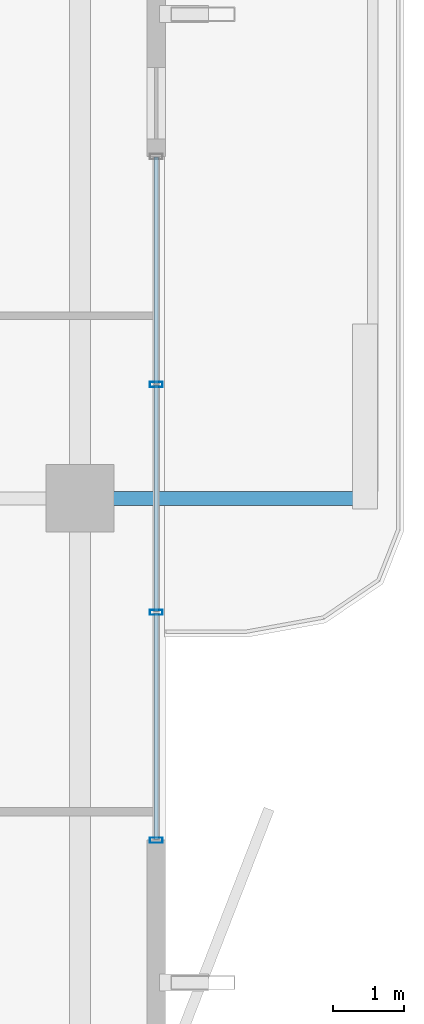
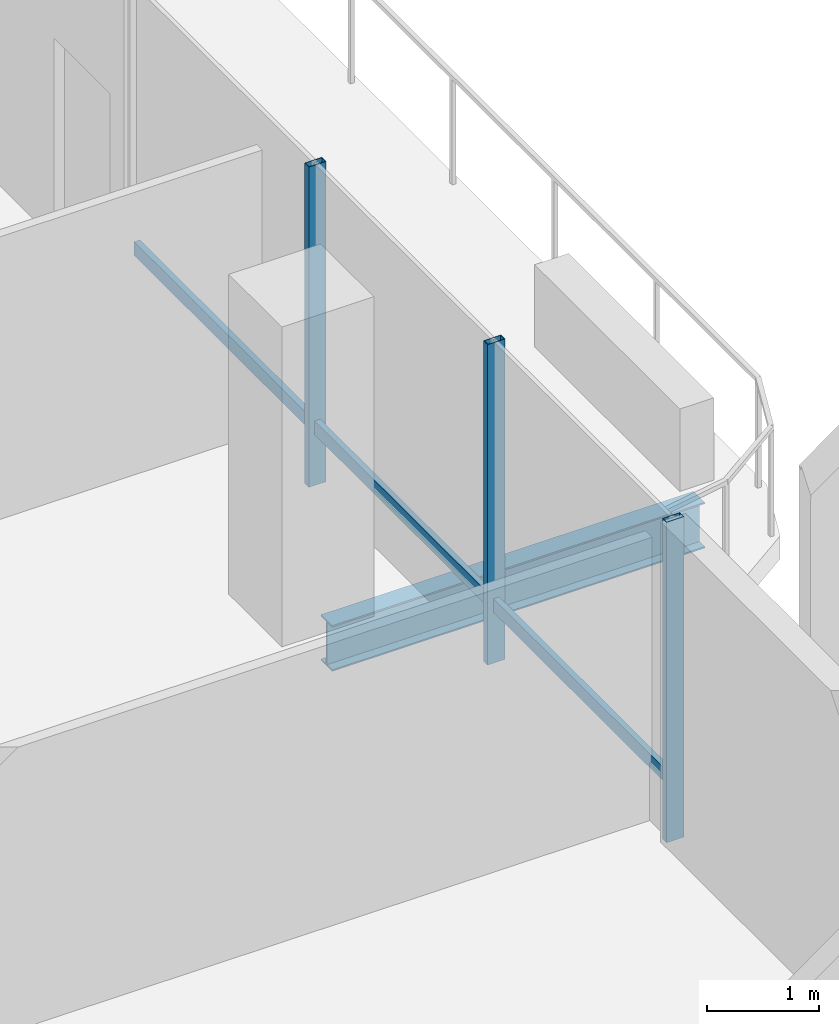
# One storey, part 10 of 25: 6 members, 1 beam, 1 element without a shape of its own.
"""IFC4 building model written with IfcOpenShell, lengths in metres."""

from ifc_helpers import new_model, si_unit, direction, frame, origin, origin_2d, place, context, subcontext, project, spatial, hollow_rectangle, i_section, extrude, material, layer, layer_set, material_profile, profile_set, type_object, element, aggregate, save


model = new_model("IFC4")

# Units and contexts
model_context = context("Model", 3, precision=1e-05, world=origin(), true_north=direction((0.0, 1.0)))
body_context = subcontext(model_context, "Body", "Model", "MODEL_VIEW")
ifc_project = project(units=[si_unit("LENGTHUNIT", "METRE"), si_unit("AREAUNIT", "SQUARE_METRE"), si_unit("VOLUMEUNIT", "CUBIC_METRE"), si_unit("PLANEANGLEUNIT", "RADIAN"), si_unit("MASSUNIT", "GRAM", prefix="KILO")], contexts=[model_context])

# Site, building, storey
site_placement = place(None, origin())
site = spatial("IfcSite", under=ifc_project, at=site_placement, CompositionType="ELEMENT")
building_placement = place(site_placement, origin())
building = spatial("IfcBuilding", under=site, at=building_placement, Name="Belovzor Exchange Tower", CompositionType="ELEMENT")
storey_placement = place(building_placement, frame((0.0, 0.0, 257.85009765625)))
storey = spatial("IfcBuildingStorey", under=building, at=storey_placement, Name="L64", CompositionType="ELEMENT", Elevation=257.85009765625)

# Beam
ifc_material_1 = material(Name="Steel S355", Category="steel")
ifc_material_profile_1 = material_profile(ifc_material_1, i_section(OverallWidth=0.199951171875, OverallDepth=0.5, WebThickness=0.01025390625, FlangeThickness=0.01611328125, at=origin_2d()))
ifc_profile_set_1 = profile_set([ifc_material_profile_1], Name="Steel S355")
beam_type = type_object("IfcBeamType", Name="Planted Balcony Cantilever Beam IPE 500", PredefinedType="BEAM", material=ifc_profile_set_1)
beam_placement = place(storey_placement, frame((52.760986328125, 28.800048828125, -0.5), z_axis=(1.0, 0.0, 0.0), x_axis=(0.0, 1.0, 0.0)))
element("IfcBeam", 1, at=beam_placement, inside=storey, type_object=beam_type, Name="BC-500 Planted Balcony Cantilever Beam IPE 500", PredefinedType="BEAM", context=body_context, shape_type="SweptSolid", body=[
    extrude(i_section(OverallWidth=0.199951171875, OverallDepth=0.5, WebThickness=0.01025390625, FlangeThickness=0.01611328125, at=origin_2d()), origin(), (0.0, 0.0, 1.0), 3.85009765625),
])

# Curtain wall, members
ifc_material_2 = material(Name="Anodised Aluminium Framing", Category="aluminium")
ifc_layer = layer(ifc_material_2, 0.179931640625)
ifc_layer_set = layer_set([ifc_layer], Name="Anodised Aluminium Framing")
curtain_wall_type = type_object("IfcCurtainWallType", Name="Recessed Loggia Low-Iron Triple-Glazed Curtain Wall", PredefinedType="NOTDEFINED", material=ifc_layer_set)
curtain_wall_placement = place(storey_placement, origin())
curtain_wall = element("IfcCurtainWall", 2, at=curtain_wall_placement, inside=storey, type_object=curtain_wall_type, Name="CW3 Recessed Loggia Low-Iron Triple-Glazed Curtain Wall L64", PredefinedType="NOTDEFINED")
ifc_material_3 = material(Name="Steel S355", Category="steel")
ifc_material_profile_2 = material_profile(ifc_material_3, hollow_rectangle(XDim=0.074951171875, YDim=0.179931640625, WallThickness=0.0048828125, at=origin_2d()))
ifc_profile_set_2 = profile_set([ifc_material_profile_2], Name="Steel S355")
member_type_1 = type_object("IfcMemberType", Name="Thermally Broken Curtain Wall Mullion 180x75", PredefinedType="MULLION", material=ifc_profile_set_2)
member_1_placement = place(storey_placement, frame((53.570068359375, 30.39990234375, 0.0), z_axis=(0.0, 0.0, 1.0), x_axis=(0.0, -1.0, 0.0)))
member_1 = element("IfcMember", 3, at=member_1_placement, type_object=member_type_1, Name="CW-M180 Curtain Wall Mullion 2", PredefinedType="MULLION", context=body_context, shape_type="SweptSolid", body=[
    extrude(hollow_rectangle(XDim=0.074951171875, YDim=0.179931640625, WallThickness=0.0048828125, at=origin_2d()), origin(), (0.0, 0.0, 1.0), 3.5),
])
member_2_placement = place(storey_placement, frame((53.570068359375, 27.199951171875, 0.0), z_axis=(0.0, 0.0, 1.0), x_axis=(0.0, -1.0, 0.0)))
member_2 = element("IfcMember", 4, at=member_2_placement, type_object=member_type_1, Name="CW-M180 Curtain Wall Mullion 3", PredefinedType="MULLION", context=body_context, shape_type="SweptSolid", body=[
    extrude(hollow_rectangle(XDim=0.074951171875, YDim=0.179931640625, WallThickness=0.0048828125, at=origin_2d()), origin(), (0.0, 0.0, 1.0), 3.5),
])
member_3_placement = place(storey_placement, frame((53.570068359375, 24.0, 0.0), z_axis=(0.0, 0.0, 1.0), x_axis=(0.0, -1.0, 0.0)))
member_3 = element("IfcMember", 5, at=member_3_placement, type_object=member_type_1, Name="CW-M180 Curtain Wall Mullion 4", PredefinedType="MULLION", context=body_context, shape_type="SweptSolid", body=[
    extrude(hollow_rectangle(XDim=0.074951171875, YDim=0.179931640625, WallThickness=0.0048828125, at=origin_2d()), origin(), (0.0, 0.0, 1.0), 3.5),
])
ifc_material_4 = material(Name="Steel S355", Category="steel")
ifc_material_profile_3 = material_profile(ifc_material_4, hollow_rectangle(XDim=0.06005859375, YDim=0.14990234375, WallThickness=0.00390625, at=origin_2d()))
ifc_profile_set_3 = profile_set([ifc_material_profile_3], Name="Steel S355")
member_type_2 = type_object("IfcMemberType", Name="Thermally Broken Curtain Wall Transom 150x60", PredefinedType="USERDEFINED", material=ifc_profile_set_3)
member_4_placement = place(storey_placement, frame((53.570068359375, 33.592041015625, 0.6298828125), z_axis=(0.0, -1.0, 0.0), x_axis=(1.0, 0.0, 0.0)))
member_4 = element("IfcMember", 6, at=member_4_placement, type_object=member_type_2, Name="CW-T150 Curtain Wall Transom 1", ObjectType="TRANSOM", PredefinedType="USERDEFINED", context=body_context, shape_type="SweptSolid", body=[
    extrude(hollow_rectangle(XDim=0.06005859375, YDim=0.14990234375, WallThickness=0.00390625, at=origin_2d()), origin(), (0.0, 0.0, 1.0), 3.18408203125),
])
member_5_placement = place(storey_placement, frame((53.570068359375, 30.39208984375, 0.6298828125), z_axis=(0.0, -1.0, 0.0), x_axis=(1.0, 0.0, 0.0)))
member_5 = element("IfcMember", 7, at=member_5_placement, type_object=member_type_2, Name="CW-T150 Curtain Wall Transom 2", ObjectType="TRANSOM", PredefinedType="USERDEFINED", context=body_context, shape_type="SweptSolid", body=[
    extrude(hollow_rectangle(XDim=0.06005859375, YDim=0.14990234375, WallThickness=0.00390625, at=origin_2d()), origin(), (0.0, 0.0, 1.0), 3.18408203125),
])
member_6_placement = place(storey_placement, frame((53.570068359375, 27.19189453125, 0.6298828125), z_axis=(0.0, -1.0, 0.0), x_axis=(1.0, 0.0, 0.0)))
member_6 = element("IfcMember", 8, at=member_6_placement, type_object=member_type_2, Name="CW-T150 Curtain Wall Transom 3", ObjectType="TRANSOM", PredefinedType="USERDEFINED", context=body_context, shape_type="SweptSolid", body=[
    extrude(hollow_rectangle(XDim=0.06005859375, YDim=0.14990234375, WallThickness=0.00390625, at=origin_2d()), origin(), (0.0, 0.0, 1.0), 3.183837890625),
])
aggregate(curtain_wall, [member_1, member_2, member_3, member_4, member_5, member_6])

save(model, "model.ifc")
